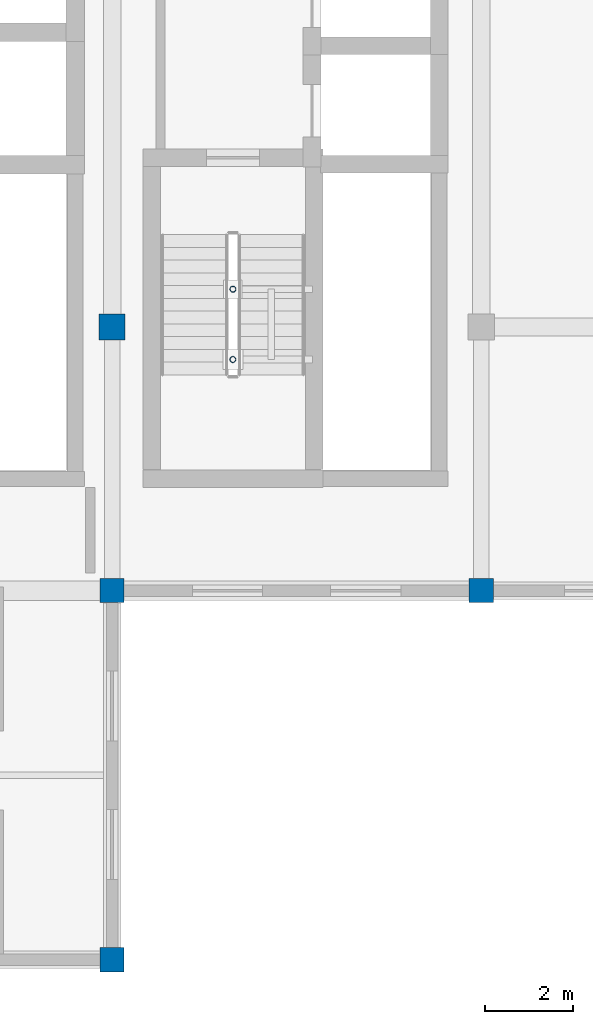
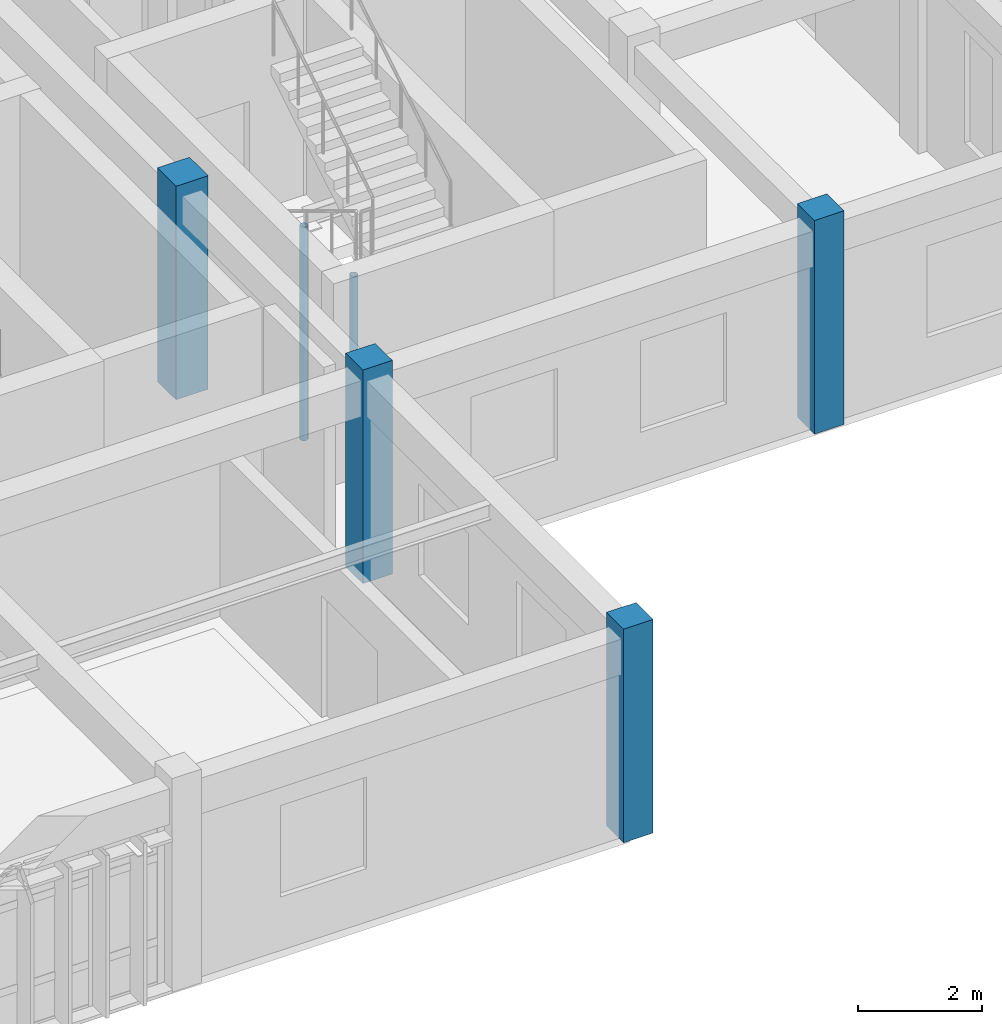
# One storey, part 2 of 21: 6 columns.
"""IFC4 building model written with IfcOpenShell, lengths in metres."""

from ifc_helpers import new_model, si_unit, direction, frame, origin, origin_2d, place, context, subcontext, project, spatial, rectangle, hollow_circle, extrude, material, material_profile, profile_set, type_object, element, save


model = new_model("IFC4")

# Units and contexts
model_context = context("Model", 3, precision=1e-05, world=origin(), true_north=direction((0.0, 1.0)))
body_context = subcontext(model_context, "Body", "Model", "MODEL_VIEW")
ifc_project = project(units=[si_unit("LENGTHUNIT", "METRE"), si_unit("AREAUNIT", "SQUARE_METRE"), si_unit("VOLUMEUNIT", "CUBIC_METRE"), si_unit("PLANEANGLEUNIT", "RADIAN"), si_unit("MASSUNIT", "GRAM", prefix="KILO")], contexts=[model_context])

# Site, building, storey
site_placement = place(None, origin())
site = spatial("IfcSite", under=ifc_project, at=site_placement, CompositionType="ELEMENT")
building_placement = place(site_placement, origin())
building = spatial("IfcBuilding", under=site, at=building_placement, Name="Krzemoval Escarpment Law Courts", CompositionType="ELEMENT")
storey_placement = place(building_placement, frame((0.0, 0.0, 37.800048828125)))
storey = spatial("IfcBuildingStorey", under=building, at=storey_placement, Name="L08", CompositionType="ELEMENT", Elevation=37.800048828125)

# Columns
ifc_material_1 = material(Name="Concrete C40/50", Category="concrete")
ifc_material_profile_1 = material_profile(ifc_material_1, rectangle(XDim=0.550048828125, YDim=0.550048828125, at=origin_2d()), Name="RC 550x550")
ifc_profile_set_1 = profile_set([ifc_material_profile_1], Name="Concrete C40/50")
column_type_1 = type_object("IfcColumnType", Name="COL-RC-550", PredefinedType="COLUMN", material=ifc_profile_set_1)
for number, where, z_axis, x_axis, name in (
    (1, (142.800048828125, 85.199951171875, 0.0), (0.0, 0.0, 1.0), (1.0, 0.0, 0.0), "Column FC-L08-1374"),
    (2, (142.800048828125, 93.60009765625, 0.0), (0.0, 0.0, 1.0), (1.0, 0.0, 0.0), "Column FC-L08-1375"),
    (3, (151.199951171875, 93.60009765625, 0.0), (0.0, 0.0, 1.0), (1.0, 0.0, 0.0), "Column FC-L08-1380"),
):
    element("IfcColumn", number, at=place(storey_placement, frame(where, z_axis=z_axis, x_axis=x_axis)), inside=storey, type_object=column_type_1, Name=name, PredefinedType="COLUMN", context=body_context, shape_type="SweptSolid", body=[
        extrude(rectangle(XDim=0.550048828125, YDim=0.550048828125, at=origin_2d()), origin(), (0.0, 0.0, 1.0), 4.199951171875),
    ])
ifc_material_2 = material(Name="Concrete C40/50", Category="concrete")
ifc_material_profile_2 = material_profile(ifc_material_2, rectangle(XDim=0.60009765625, YDim=0.60009765625, at=origin_2d()), Name="RC 600x600")
ifc_profile_set_2 = profile_set([ifc_material_profile_2], Name="Concrete C40/50")
column_type_2 = type_object("IfcColumnType", Name="COL-RC-600", PredefinedType="COLUMN", material=ifc_profile_set_2)
column_placement = place(storey_placement, frame((142.800048828125, 99.60009765625, 0.0), z_axis=(0.0, 0.0, 1.0), x_axis=(1.0, 0.0, 0.0)))
element("IfcColumn", 4, at=column_placement, inside=storey, type_object=column_type_2, Name="Column FC-L08-1376", PredefinedType="COLUMN", context=body_context, shape_type="SweptSolid", body=[
    extrude(rectangle(XDim=0.60009765625, YDim=0.60009765625, at=origin_2d()), origin(), (0.0, 0.0, 1.0), 4.199951171875),
])
ifc_material_3 = material(Name="Steel S355", Category="steel")
ifc_material_profile_3 = material_profile(ifc_material_3, hollow_circle(Radius=0.06982421875, WallThickness=0.008056640625, at=origin_2d()), Name="CHS 139.7x8")
ifc_profile_set_3 = profile_set([ifc_material_profile_3], Name="Steel S355")
column_type_3 = type_object("IfcColumnType", Name="COL-S355-CHS140", PredefinedType="COLUMN", material=ifc_profile_set_3)
for number, where, z_axis, x_axis, name in (
    (5, (145.550048828125, 98.860107421875, -2.530029296875), (0.0, 0.0, 1.0), (1.0, 0.0, 0.0), "Stair Well Post SCP-C3-L08-1"),
    (6, (145.550048828125, 100.4599609375, -2.530029296875), (0.0, 0.0, 1.0), (1.0, 0.0, 0.0), "Stair Well Post SCP-C3-L08-2"),
):
    element("IfcColumn", number, at=place(storey_placement, frame(where, z_axis=z_axis, x_axis=x_axis)), inside=storey, type_object=column_type_3, Name=name, PredefinedType="COLUMN", context=body_context, shape_type="SweptSolid", body=[
        extrude(hollow_circle(Radius=0.06982421875, WallThickness=0.008056640625, at=origin_2d()), origin(), (0.0, 0.0, 1.0), 4.199951171875),
    ])

save(model, "model.ifc")
